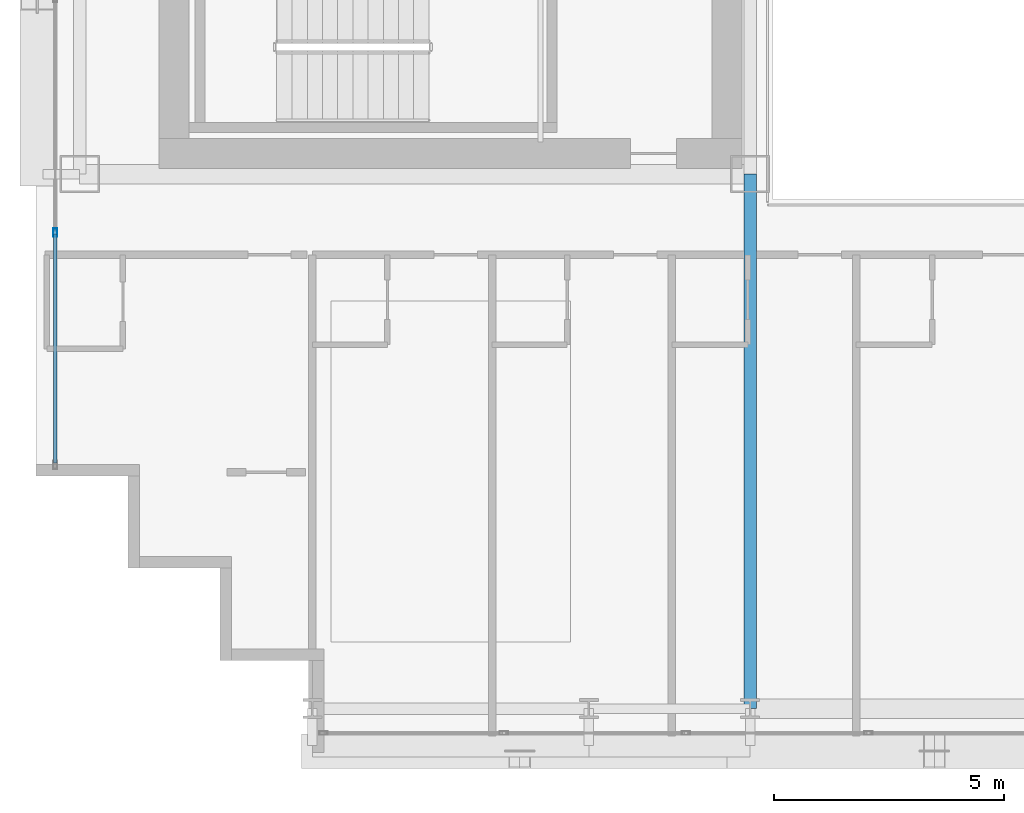
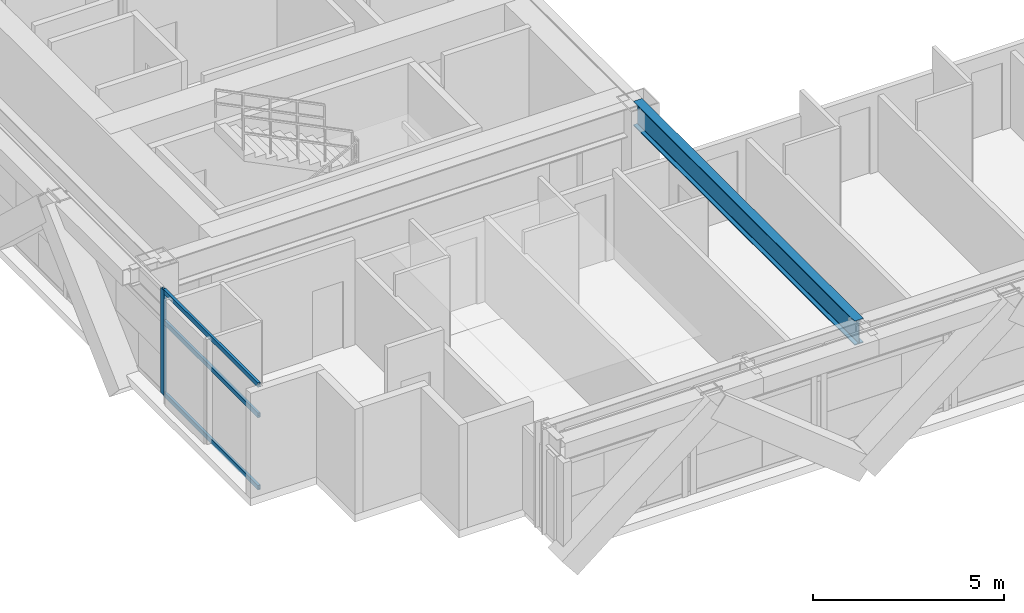
# One storey, part 3 of 36: 4 members, 1 beam, 1 element without a shape of its own.
"""IFC4 building model written with IfcOpenShell, lengths in metres."""

from ifc_helpers import new_model, si_unit, direction, frame, origin, origin_2d, place, context, subcontext, project, spatial, hollow_rectangle, i_section, extrude, source, transform, mapped, material, layer, layer_set, material_profile, profile_set, type_object, element, aggregate, save


model = new_model("IFC4")

# Units and contexts
model_context = context("Model", 3, precision=1e-05, world=origin(), true_north=direction((0.0, 1.0)))
body_context = subcontext(model_context, "Body", "Model", "MODEL_VIEW")
ifc_project = project(units=[si_unit("LENGTHUNIT", "METRE"), si_unit("AREAUNIT", "SQUARE_METRE"), si_unit("VOLUMEUNIT", "CUBIC_METRE"), si_unit("PLANEANGLEUNIT", "RADIAN"), si_unit("MASSUNIT", "GRAM", prefix="KILO")], contexts=[model_context])

# Site, building, storey
site_placement = place(None, origin())
site = spatial("IfcSite", under=ifc_project, at=site_placement, CompositionType="ELEMENT")
building_placement = place(site_placement, origin())
building = spatial("IfcBuilding", under=site, at=building_placement, Name="Ocotamira Hotel", CompositionType="ELEMENT")
storey_placement = place(building_placement, frame((0.0, 0.0, 133.199951171875)))
storey = spatial("IfcBuildingStorey", under=building, at=storey_placement, Name="L33", CompositionType="ELEMENT", Elevation=133.199951171875)

# Beam
ifc_material_1 = material(Name="Steel ASTM A992 Grade 50", Category="steel")
ifc_material_profile_1 = material_profile(ifc_material_1, i_section(OverallWidth=0.26611328125, OverallDepth=0.779052734375, WebThickness=0.0166015625, FlangeThickness=0.030029296875, FilletRadius=0.01806640625, at=origin_2d()), Name="W30X148")
ifc_profile_set_1 = profile_set([ifc_material_profile_1], Name="Steel ASTM A992 Grade 50")
beam_type = type_object("IfcBeamType", Name="BM-GIRD-W30X148", PredefinedType="BEAM", material=ifc_profile_set_1)
shared_shape_1 = source(origin(), body_context, "Body", "SweptSolid", [
    extrude(i_section(OverallWidth=0.26611328125, OverallDepth=0.779052734375, WebThickness=0.0166015625, FlangeThickness=0.030029296875, FilletRadius=0.01806640625, at=origin_2d()), origin(), (0.0, 0.0, 1.0), 11.60009765625),
])
beam_placement = place(storey_placement, frame((23.5, 2.949951171875, 2.970458984375), z_axis=(0.0, 1.0, 0.0), x_axis=(-1.0, 0.0, 0.0)))
element("IfcBeam", 1, at=beam_placement, inside=storey, type_object=beam_type, Name="L33 Beam X23.5 Y2.95-14.55", PredefinedType="BEAM", context=body_context, shape_type="MappedRepresentation", body=[
    mapped(shared_shape_1, transform((0.0, 0.0, 0.0), scale=1.0)),
])

# Curtain wall, members
ifc_material_2 = material(Name="Anodised pale-metal aluminium and solar glass", Category="aluminium")
ifc_layer = layer(ifc_material_2, 0.179931640625)
ifc_layer_set = layer_set([ifc_layer], Name="Anodised pale-metal aluminium and solar glass")
curtain_wall_type = type_object("IfcCurtainWallType", Name="CW-SYS3-Z2", PredefinedType="NOTDEFINED", material=ifc_layer_set)
curtain_wall_placement = place(storey_placement, origin())
curtain_wall = element("IfcCurtainWall", 2, at=curtain_wall_placement, inside=storey, type_object=curtain_wall_type, Name="L33 Curtain Wall CW-3 CW-L33-W", PredefinedType="NOTDEFINED")
ifc_material_3 = material(Name="Anodised pale-metal aluminium 6063-T6", Category="aluminium")
ifc_material_profile_2 = material_profile(ifc_material_3, hollow_rectangle(XDim=0.074951171875, YDim=0.14990234375, WallThickness=0.006103515625, at=origin_2d()), Name="HSS150X75X6")
ifc_profile_set_2 = profile_set([ifc_material_profile_2], Name="Anodised pale-metal aluminium 6063-T6")
member_type_1 = type_object("IfcMemberType", Name="CWT-150X75", PredefinedType="USERDEFINED", material=ifc_profile_set_2)
shared_shape_2 = source(origin(), body_context, "Body", "SweptSolid", [
    extrude(hollow_rectangle(XDim=0.074951171875, YDim=0.14990234375, WallThickness=0.006103515625, at=origin_2d()), origin(), (0.0, 0.0, 1.0), 4.965576171875),
])
member_1_placement = place(storey_placement, frame((8.419921875, 8.280029296875, 0.03759765625), z_axis=(0.0, 1.0, 0.0), x_axis=(-1.0, 0.0, 0.0)))
member_1 = element("IfcMember", 3, at=member_1_placement, type_object=member_type_1, Name="CW-3 transom 1.1", ObjectType="TRANSOM", PredefinedType="USERDEFINED", context=body_context, shape_type="MappedRepresentation", body=[
    mapped(shared_shape_2, transform((0.0, 0.0, 0.0), scale=1.0)),
])
member_2_placement = place(storey_placement, frame((8.419921875, 8.280029296875, 2.35009765625), z_axis=(0.0, 1.0, 0.0), x_axis=(-1.0, 0.0, 0.0)))
member_2 = element("IfcMember", 4, at=member_2_placement, type_object=member_type_1, Name="CW-3 transom 1.2", ObjectType="TRANSOM", PredefinedType="USERDEFINED", context=body_context, shape_type="MappedRepresentation", body=[
    mapped(shared_shape_2, transform((0.0, 0.0, 0.0), scale=1.0)),
])
member_3_placement = place(storey_placement, frame((8.419921875, 8.280029296875, 3.322509765625), z_axis=(0.0, 1.0, 0.0), x_axis=(-1.0, 0.0, 0.0)))
member_3 = element("IfcMember", 5, at=member_3_placement, type_object=member_type_1, Name="CW-3 transom 1.3", ObjectType="TRANSOM", PredefinedType="USERDEFINED", context=body_context, shape_type="MappedRepresentation", body=[
    mapped(shared_shape_2, transform((0.0, 0.0, 0.0), scale=1.0)),
])
ifc_material_profile_3 = material_profile(ifc_material_3, hollow_rectangle(XDim=0.080078125, YDim=0.179931640625, WallThickness=0.006103515625, at=origin_2d()), Name="HSS180X80X6")
ifc_profile_set_3 = profile_set([ifc_material_profile_3], Name="Anodised pale-metal aluminium 6063-T6")
member_type_2 = type_object("IfcMemberType", Name="CWM-180X75", PredefinedType="MULLION", material=ifc_profile_set_3)
shared_shape_3 = source(origin(), body_context, "Body", "SweptSolid", [
    extrude(hollow_rectangle(XDim=0.080078125, YDim=0.179931640625, WallThickness=0.006103515625, at=origin_2d()), origin(), (0.0, 0.0, 1.0), 3.360107421875),
])
member_4_placement = place(storey_placement, frame((8.419921875, 13.28564453125, 0.0), z_axis=(0.0, 0.0, 1.0), x_axis=(-1.0, 0.0, 0.0)))
member_4 = element("IfcMember", 6, at=member_4_placement, type_object=member_type_2, Name="CW-3 mullion 2", PredefinedType="MULLION", context=body_context, shape_type="MappedRepresentation", body=[
    mapped(shared_shape_3, transform((0.0, 0.0, 0.0), scale=1.0)),
])
aggregate(curtain_wall, [member_4, member_1, member_2, member_3])

save(model, "model.ifc")
